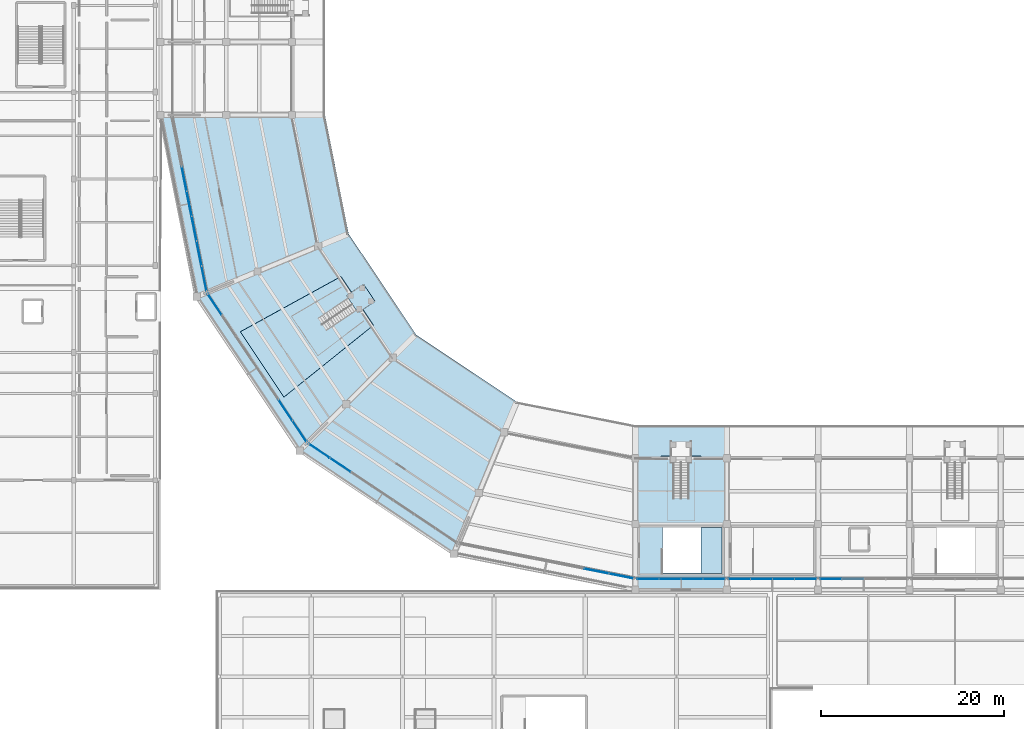
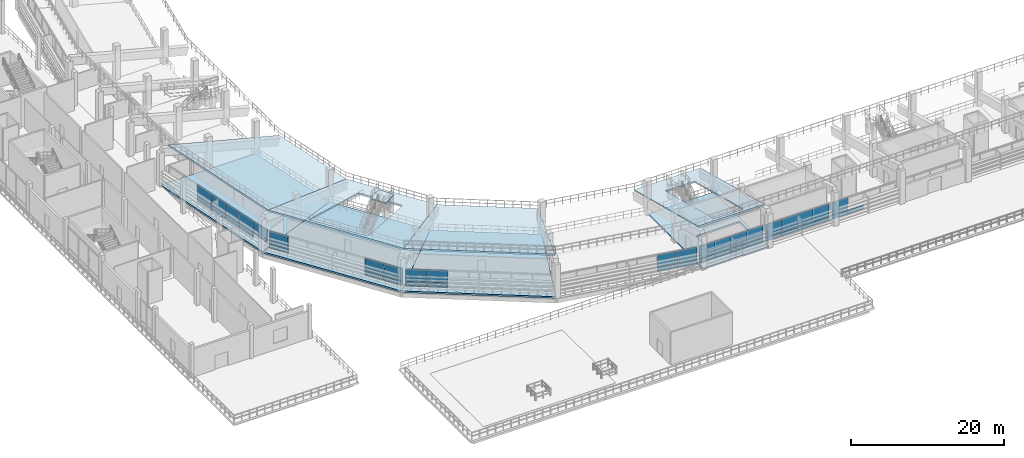
# One storey, part 49 of 96: 42 plates, 9 slabs, 8 elements without a shape of their own.
"""IFC4 building model written with IfcOpenShell, lengths in metres."""

import ifcopenshell
import ifcopenshell.guid

model = None  # the IFC model being written
_history = None  # IfcOwnerHistory: only IFC2X3 demands one
_inside = {}  # id of a spatial element -> (the spatial element, [elements in it])
_under = {}  # id of a project, library or spatial element -> (it, [spatial elements below it])
_declared = {}  # id of a project -> (the project, [libraries it declares])
_typed = {}  # id of a type object -> (the type object, [elements of that type])
_made_of = {}  # id of a material, layer set ... -> (it, [elements and type objects made of it])


def new_model(schema):
    """Start an empty IFC model of exactly this schema.

    Asked for "IFC4X3", IfcOpenShell would pick the latest addendum, in which some entities
    have other attributes; the version numbers below select the first issue.
    IFC2X3 requires an IfcOwnerHistory on every rooted entity: one is made here for all.
    """
    global model, _history
    if schema == "IFC4X3":
        model = ifcopenshell.file(schema_version=(4, 3, 0, 0))
    else:
        model = ifcopenshell.file(schema=schema)
    _inside.clear()
    _under.clear()
    _declared.clear()
    _typed.clear()
    _made_of.clear()
    _history = None
    if model.schema == "IFC2X3":
        org = make("IfcOrganization", Name="unknown")
        user = make(
            "IfcPersonAndOrganization",
            ThePerson=make("IfcPerson", FamilyName="unknown"),
            TheOrganization=org,
        )
        app = make(
            "IfcApplication",
            ApplicationDeveloper=org,
            Version="unknown",
            ApplicationFullName="unknown",
            ApplicationIdentifier="unknown",
        )
        _history = make(
            "IfcOwnerHistory",
            OwningUser=user,
            OwningApplication=app,
            ChangeAction="ADDED",
            CreationDate=0,
        )
    return model


def make(cls, **values):
    """One entity of the class cls with the attributes given. An attribute that is None is left unset."""
    return model.create_entity(
        cls, **{name: value for name, value in values.items() if value is not None}
    )


def rooted(cls, **values):
    """An entity with a GlobalId (a new one), such as an element, a storey or a relation."""
    return make(cls, GlobalId=ifcopenshell.guid.new(), OwnerHistory=_history, **values)


def si_unit(unit_type, name, prefix=None):
    """IfcSIUnit, for example si_unit("LENGTHUNIT", "METRE", prefix="MILLI")."""
    return make("IfcSIUnit", UnitType=unit_type, Prefix=prefix, Name=name)


def assignment(units):
    """IfcUnitAssignment: the units of a project."""
    return None if units is None else make("IfcUnitAssignment", Units=units)


def point(xyz):
    """IfcCartesianPoint."""
    return None if xyz is None else make("IfcCartesianPoint", Coordinates=xyz)


def direction(xyz):
    """IfcDirection."""
    return None if xyz is None else make("IfcDirection", DirectionRatios=xyz)


def frame(location, z_axis=None, x_axis=None):
    """IfcAxis2Placement3D, a coordinate frame: its origin and axes. An axis left out is left unset."""
    return make(
        "IfcAxis2Placement3D",
        Location=point(location),
        Axis=direction(z_axis),
        RefDirection=direction(x_axis),
    )


def frame_2d(location, x_axis=None):
    """IfcAxis2Placement2D, a coordinate frame in the plane: its origin and x axis."""
    return make(
        "IfcAxis2Placement2D", Location=point(location), RefDirection=direction(x_axis)
    )


def origin():
    """The frame at (0, 0, 0) with its axes left unset."""
    return frame((0.0, 0.0, 0.0))


def origin_2d():
    """The frame at (0, 0) in the plane with its x axis left unset."""
    return frame_2d((0.0, 0.0))


def place(relative_to, where):
    """IfcLocalPlacement: puts the frame where relative to a parent placement (None: the world)."""
    return make(
        "IfcLocalPlacement", PlacementRelTo=relative_to, RelativePlacement=where
    )


def context(
    kind, dimensions, precision=None, world=None, true_north=None, identifier=None
):
    """IfcGeometricRepresentationContext, for example the 3D "Model" context."""
    return make(
        "IfcGeometricRepresentationContext",
        ContextIdentifier=identifier,
        ContextType=kind,
        CoordinateSpaceDimension=dimensions,
        Precision=precision,
        WorldCoordinateSystem=world,
        TrueNorth=true_north,
    )


def subcontext(parent, identifier, kind, view, scale=None):
    """IfcGeometricRepresentationSubContext, for example "Body" below "Model"."""
    return make(
        "IfcGeometricRepresentationSubContext",
        ContextIdentifier=identifier,
        ContextType=kind,
        ParentContext=parent,
        TargetScale=scale,
        TargetView=view,
    )


def project(units=None, contexts=None):
    """IfcProject with its units and contexts."""
    return rooted(
        "IfcProject",
        Name="project",
        RepresentationContexts=contexts,
        UnitsInContext=assignment(units),
    )


def spatial(cls, under=None, at=None, **own):
    """A site, building, storey or space (cls), placed at a placement, below another one or the project."""
    s = rooted(cls, ObjectPlacement=at, **own)
    if under is not None:
        _under.setdefault(under.id(), (under, []))[1].append(s)
    return s


def polyline(points):
    """IfcPolyline through the points."""
    return make("IfcPolyline", Points=[point(p) for p in points])


def profile(cls, at=None, kind="AREA", **sizes):
    """A parametric profile (cls). Its sizes go by their IFC names, for example OverallWidth=200.0."""
    return make(cls, ProfileType=kind, Position=at, **sizes)


def rectangle(**sizes):
    """IfcRectangleProfileDef."""
    return profile("IfcRectangleProfileDef", **sizes)


def outline(outer, holes=None, kind="AREA"):
    """IfcArbitraryClosedProfileDef: a profile drawn as a closed curve; with holes, ...WithVoids."""
    if holes is None:
        return make("IfcArbitraryClosedProfileDef", ProfileType=kind, OuterCurve=outer)
    return make(
        "IfcArbitraryProfileDefWithVoids",
        ProfileType=kind,
        OuterCurve=outer,
        InnerCurves=holes,
    )


def extrude(swept, where, along, depth):
    """IfcExtrudedAreaSolid: the profile swept, set in the frame where, extruded along a direction by depth."""
    return make(
        "IfcExtrudedAreaSolid",
        SweptArea=swept,
        Position=where,
        ExtrudedDirection=direction(along),
        Depth=depth,
    )


def shape(context_of_items, identifier, shape_type, items):
    """IfcShapeRepresentation: the items that make up one representation, for example the "Body"."""
    return make(
        "IfcShapeRepresentation",
        ContextOfItems=context_of_items,
        RepresentationIdentifier=identifier,
        RepresentationType=shape_type,
        Items=items,
    )


def material(Name=None, Category=None):
    """IfcMaterial."""
    return make("IfcMaterial", Name=Name, Category=Category)


def layer(
    of_material, thickness, ventilated=None, Name=None, Category=None, Priority=None
):
    """IfcMaterialLayer: one layer of a wall or slab, of a material (None: an air gap)."""
    return make(
        "IfcMaterialLayer",
        Material=of_material,
        LayerThickness=thickness,
        IsVentilated=ventilated,
        Name=Name,
        Category=Category,
        Priority=Priority,
    )


def layer_set(layers, Name=None):
    """IfcMaterialLayerSet."""
    return make("IfcMaterialLayerSet", MaterialLayers=layers, LayerSetName=Name)


def made_of(thing, what):
    """Note that an element or type object is made of a material, layer set ...; save() writes the relation."""
    if what is not None:
        _made_of.setdefault(what.id(), (what, []))[1].append(thing)
    return thing


def type_object(cls, material=None, **own):
    """A type object (cls), such as IfcWallType, which elements share."""
    return made_of(rooted(cls, **own), material)


def element(
    cls,
    number,
    at=None,
    inside=None,
    cuts=None,
    type_object=None,
    material=None,
    context=None,
    identifier="Body",
    shape_type=None,
    held_by="IfcProductDefinitionShape",
    body=None,
    shapes=None,
    **own,
):
    """One element of the class cls, such as IfcWall. Its Tag is "e" and its number.

    at: its placement. inside: the storey or other place that contains it. cuts: it is an
    opening in that element (IfcRelVoidsElement). A single representation is given by context,
    identifier, shape_type and body (its items); several are given by shapes. held_by: the class
    of the entity that holds the representations. save() writes the other relations.
    """
    e = rooted(cls, Tag="e%d" % number, ObjectPlacement=at, **own)
    if body is not None:
        shapes = [shape(context, identifier, shape_type, body)]
    if shapes is not None:
        e.Representation = make(held_by, Representations=shapes)
    if inside is not None:
        _inside.setdefault(inside.id(), (inside, []))[1].append(e)
    if cuts is not None:
        rooted(
            "IfcRelVoidsElement", RelatingBuildingElement=cuts, RelatedOpeningElement=e
        )
    if type_object is not None:
        _typed.setdefault(type_object.id(), (type_object, []))[1].append(e)
    return made_of(e, material)


def aggregate(whole, parts):
    """IfcRelAggregates: a whole, such as a stair, and the parts it consists of."""
    return rooted("IfcRelAggregates", RelatingObject=whole, RelatedObjects=parts)


def save(model, path):
    """Write the relations noted so far, then the file.

    IfcRelAggregates (storeys below a building ...), IfcRelContainedInSpatialStructure (elements
    in a storey), IfcRelDefinesByType, IfcRelAssociatesMaterial and IfcRelDeclares: one each for
    every whole, place, type object, material and project.
    """
    for whole, parts in _under.values():
        aggregate(whole, parts)
    for where, things in _inside.values():
        rooted(
            "IfcRelContainedInSpatialStructure",
            RelatedElements=things,
            RelatingStructure=where,
        )
    for kind, things in _typed.values():
        rooted("IfcRelDefinesByType", RelatedObjects=things, RelatingType=kind)
    for what, things in _made_of.values():
        rooted("IfcRelAssociatesMaterial", RelatedObjects=things, RelatingMaterial=what)
    for by, libraries in _declared.values():
        rooted("IfcRelDeclares", RelatingContext=by, RelatedDefinitions=libraries)
    model.write(path)


model = new_model("IFC4")

# Units and contexts
model_context = context("Model", 3, precision=1e-05, world=origin(), true_north=direction((0.0, 1.0)))
body_context = subcontext(model_context, "Body", "Model", "MODEL_VIEW")
ifc_project = project(units=[si_unit("LENGTHUNIT", "METRE"), si_unit("AREAUNIT", "SQUARE_METRE"), si_unit("VOLUMEUNIT", "CUBIC_METRE"), si_unit("PLANEANGLEUNIT", "RADIAN"), si_unit("MASSUNIT", "GRAM", prefix="KILO")], contexts=[model_context])

# Site, building, storey
site_placement = place(None, origin())
site = spatial("IfcSite", under=ifc_project, at=site_placement, CompositionType="ELEMENT")
building_placement = place(site_placement, origin())
building = spatial("IfcBuilding", under=site, at=building_placement, Name="Candeia Ridge Stadium", CompositionType="ELEMENT")
storey_placement = place(building_placement, frame((0.0, 0.0, 21.60009765625)))
storey = spatial("IfcBuildingStorey", under=building, at=storey_placement, Name="L04", CompositionType="ELEMENT", Elevation=21.60009765625)

# Slabs
ifc_material_1 = material(Name="Concrete C40/50", Category="concrete")
ifc_layer_1 = layer(ifc_material_1, 0.260009765625, Name="Concrete C40/50", Category="concrete")
ifc_layer_set_1 = layer_set([ifc_layer_1], Name="Concrete C40/50")
slab_type_1 = type_object("IfcSlabType", Name="Concourse Structural Slab 260", PredefinedType="FLOOR", material=ifc_layer_set_1)
slab_1_placement = place(storey_placement, frame((0.0, 0.0, -0.260009765625)))
element("IfcSlab", 1, at=slab_1_placement, inside=storey, type_object=slab_type_1, Name="Bowl concourse sector slab L04 bay 15 SLB-L04-0159", PredefinedType="FLOOR", context=body_context, shape_type="SweptSolid", body=[
    extrude(outline(polyline([(36.26220703125, 56.611083984375), (22.958251953125, 51.1005859375), (19.0, 71.0), (33.39990234375, 71.0), (36.26220703125, 56.611083984375)])), origin(), (0.0, 0.0, 1.0), 0.260009765625),
])
slab_2_placement = place(storey_placement, frame((0.0, 0.0, -0.260009765625)))
element("IfcSlab", 2, at=slab_2_placement, inside=storey, type_object=slab_type_1, Name="Bowl concourse sector slab L04 bay 16 SLB-L04-0160", PredefinedType="FLOOR", context=body_context, shape_type="SweptSolid", body=[
    extrude(outline(polyline([(44.412841796875, 44.412841796875), (34.23046875, 34.23046875), (22.958251953125, 51.1005859375), (36.26220703125, 56.611083984375), (44.412841796875, 44.412841796875)])), origin(), (0.0, 0.0, 1.0), 0.260009765625),
])
slab_3_placement = place(storey_placement, frame((0.0, 0.0, -0.260009765625)))
element("IfcSlab", 3, at=slab_3_placement, inside=storey, type_object=slab_type_1, Name="Bowl concourse sector slab L04 bay 17 SLB-L04-0161", PredefinedType="FLOOR", context=body_context, shape_type="SweptSolid", body=[
    extrude(outline(polyline([(56.611083984375, 36.26220703125), (51.1005859375, 22.958251953125), (34.23046875, 34.23046875), (44.412841796875, 44.412841796875), (56.611083984375, 36.26220703125)])), origin(), (0.0, 0.0, 1.0), 0.260009765625),
])
slab_4_placement = place(storey_placement, frame((0.0, 0.0, -0.260009765625)))
element("IfcSlab", 4, at=slab_4_placement, inside=storey, type_object=slab_type_1, Name="Bowl concourse sector slab L04 bay 19 SLB-L04-0163", PredefinedType="FLOOR", context=body_context, shape_type="SweptSolid", body=[
    extrude(outline(polyline([(81.0, 33.39990234375), (81.0, 19.0), (71.0400390625, 19.0), (71.0400390625, 33.39990234375), (81.0, 33.39990234375)]), holes=[polyline([(73.95068359375, 20.800048828125), (80.5, 20.800048828125), (80.5, 25.85009765625), (73.95068359375, 25.85009765625), (73.95068359375, 20.800048828125)])]), origin(), (0.0, 0.0, 1.0), 0.260009765625),
])

# Stair, slab
ifc_material_2 = material(Name="Precast concrete C45/55", Category="concrete")
stair_type = type_object("IfcStairType", Name="Spectator Vomitory Straight Stair 2200", PredefinedType="STRAIGHT_RUN_STAIR", material=ifc_material_2)
stair_placement = place(storey_placement, origin())
stair = element("IfcStair", 5, at=stair_placement, inside=storey, type_object=stair_type, Name="Vomitory stair VS30", PredefinedType="STRAIGHT_RUN_STAIR")
ifc_layer_2 = layer(ifc_material_1, 0.199951171875, Name="Concrete C40/50", Category="concrete")
ifc_layer_set_2 = layer_set([ifc_layer_2], Name="Concrete C40/50")
slab_type_2 = type_object("IfcSlabType", Name="Core Stair Landing Slab 200", PredefinedType="LANDING", material=ifc_layer_set_2)
slab_5_placement = place(storey_placement, frame((0.0, 0.0, 2.493896484375)))
slab_5 = element("IfcSlab", 6, at=slab_5_placement, type_object=slab_type_2, Name="VS30 landing 1", PredefinedType="LANDING", context=body_context, shape_type="SweptSolid", body=[
    extrude(outline(polyline([(39.362548828125, 51.20751953125), (41.233642578125, 52.457763671875), (42.478271484375, 50.595458984375), (40.60693359375, 49.344970703125), (39.362548828125, 51.20751953125)])), origin(), (0.0, 0.0, 1.0), 0.199951171875),
])
aggregate(stair, [slab_5])

# Curtain wall, plates
ifc_material_3 = material(Name="Aluminium Anodized Warm Bronze", Category="aluminium")
curtain_wall_type = type_object("IfcCurtainWallType", Name="Concourse Recessed Unitised Curtain Wall", PredefinedType="NOTDEFINED", material=ifc_material_3)
curtain_wall_1_placement = place(storey_placement, origin())
curtain_wall_1 = element("IfcCurtainWall", 7, at=curtain_wall_1_placement, inside=storey, type_object=curtain_wall_type, Name="Unitised curtain wall CW-BWL-L04-16", PredefinedType="NOTDEFINED")
ifc_material_4 = material(Name="Aluminium Insulated Spandrel", Category="aluminium")
ifc_layer_3 = layer(ifc_material_4, 0.06494140625, Name="Aluminium Insulated Spandrel", Category="aluminium")
ifc_layer_set_3 = layer_set([ifc_layer_3], Name="Aluminium Insulated Spandrel")
plate_type_1 = type_object("IfcPlateType", Name="Insulated Bronze Spandrel Panel SP1", PredefinedType="CURTAIN_PANEL", material=ifc_layer_set_3)
plate_1_placement = place(storey_placement, frame((36.384521484375, 34.206787109375, 0.0400390625), z_axis=(0.0, 0.0, 1.0), x_axis=(0.831468800789, -0.555571447533, 0.0)))
plate_1 = element("IfcPlate", 8, at=plate_1_placement, type_object=plate_type_1, Name="Curtain wall spandrel panel CW-BWL-L04-16-SP0", PredefinedType="CURTAIN_PANEL", context=body_context, shape_type="SweptSolid", body=[
    extrude(rectangle(XDim=2.710205078125, YDim=0.06494140625, at=origin_2d()), origin(), (0.0, 0.0, 1.0), 0.613037109375),
])
plate_2_placement = place(storey_placement, frame((38.696044921875, 32.662109375, 0.0400390625), z_axis=(0.0, 0.0, 1.0), x_axis=(0.831468800789, -0.555571447533, 0.0)))
plate_2 = element("IfcPlate", 9, at=plate_2_placement, type_object=plate_type_1, Name="Curtain wall spandrel panel CW-BWL-L04-16-SP1", PredefinedType="CURTAIN_PANEL", context=body_context, shape_type="SweptSolid", body=[
    extrude(rectangle(XDim=2.710205078125, YDim=0.06494140625, at=origin_2d()), origin(), (0.0, 0.0, 1.0), 0.613037109375),
])

curtain_wall_2_placement = place(storey_placement, origin())
curtain_wall_2 = element("IfcCurtainWall", 10, at=curtain_wall_2_placement, inside=storey, type_object=curtain_wall_type, Name="Unitised curtain wall CW-BWL-L04-20", PredefinedType="NOTDEFINED")
plate_3_placement = place(storey_placement, frame((92.385009765625, 20.199951171875, 0.0400390625), z_axis=(0.0, 0.0, 1.0), x_axis=(1.0, 0.0, 0.0)))
plate_3 = element("IfcPlate", 11, at=plate_3_placement, type_object=plate_type_1, Name="Curtain wall spandrel panel CW-BWL-L04-20-SP0", PredefinedType="CURTAIN_PANEL", context=body_context, shape_type="SweptSolid", body=[
    extrude(rectangle(XDim=2.340087890625, YDim=0.06494140625, at=origin_2d()), origin(), (0.0, 0.0, 1.0), 0.613037109375),
])
plate_4_placement = place(storey_placement, frame((94.794921875, 20.199951171875, 0.0400390625), z_axis=(0.0, 0.0, 1.0), x_axis=(1.0, 0.0, 0.0)))
plate_4 = element("IfcPlate", 12, at=plate_4_placement, type_object=plate_type_1, Name="Curtain wall spandrel panel CW-BWL-L04-20-SP1", PredefinedType="CURTAIN_PANEL", context=body_context, shape_type="SweptSolid", body=[
    extrude(rectangle(XDim=2.340087890625, YDim=0.06494140625, at=origin_2d()), origin(), (0.0, 0.0, 1.0), 0.613037109375),
])

curtain_wall_3_placement = place(storey_placement, origin())
curtain_wall_3 = element("IfcCurtainWall", 13, at=curtain_wall_3_placement, inside=storey, type_object=curtain_wall_type, Name="Unitised curtain wall CW-BWL-L04-17", PredefinedType="NOTDEFINED")
ifc_layer_4 = layer(ifc_material_4, 0.06494140625, Name="Aluminium Insulated Spandrel", Category="aluminium")
ifc_layer_set_4 = layer_set([ifc_layer_4], Name="Aluminium Insulated Spandrel")
plate_type_2 = type_object("IfcPlateType", Name="Insulated Bronze Spandrel Panel SP2", PredefinedType="CURTAIN_PANEL", material=ifc_layer_set_4)
plate_5_placement = place(storey_placement, frame((66.7333984375, 21.048583984375, 0.0400390625), z_axis=(0.0, 0.0, 1.0), x_axis=(0.980785280696, -0.195090320544, 0.0)))
plate_5 = element("IfcPlate", 14, at=plate_5_placement, type_object=plate_type_2, Name="Curtain wall spandrel panel CW-BWL-L04-17-SP5", PredefinedType="CURTAIN_PANEL", context=body_context, shape_type="SweptSolid", body=[
    extrude(rectangle(XDim=2.710205078125, YDim=0.06494140625, at=origin_2d()), origin(), (0.0, 0.0, 1.0), 0.613037109375),
])
plate_6_placement = place(storey_placement, frame((69.460205078125, 20.50634765625, 0.0400390625), z_axis=(0.0, 0.0, 1.0), x_axis=(0.980785280696, -0.195090320544, 0.0)))
plate_6 = element("IfcPlate", 15, at=plate_6_placement, type_object=plate_type_2, Name="Curtain wall spandrel panel CW-BWL-L04-17-SP6", PredefinedType="CURTAIN_PANEL", context=body_context, shape_type="SweptSolid", body=[
    extrude(rectangle(XDim=2.710205078125, YDim=0.06494140625, at=origin_2d()), origin(), (0.0, 0.0, 1.0), 0.613037109375),
])

curtain_wall_4_placement = place(storey_placement, origin())
curtain_wall_4 = element("IfcCurtainWall", 16, at=curtain_wall_4_placement, inside=storey, type_object=curtain_wall_type, Name="Unitised curtain wall CW-BWL-L04-14", PredefinedType="NOTDEFINED")
ifc_layer_5 = layer(ifc_material_4, 0.06494140625, Name="Aluminium Insulated Spandrel", Category="aluminium")
ifc_layer_set_5 = layer_set([ifc_layer_5], Name="Aluminium Insulated Spandrel")
plate_type_3 = type_object("IfcPlateType", Name="Insulated Bronze Spandrel Panel SP4", PredefinedType="CURTAIN_PANEL", material=ifc_layer_set_5)
plate_7_placement = place(storey_placement, frame((21.591064453125, 64.006591796875, 0.0400390625), z_axis=(0.0, 0.0, 1.0), x_axis=(0.195090320544, -0.980785280696, 0.0)))
plate_7 = element("IfcPlate", 17, at=plate_7_placement, type_object=plate_type_3, Name="Curtain wall spandrel panel CW-BWL-L04-14-SP2", PredefinedType="CURTAIN_PANEL", context=body_context, shape_type="SweptSolid", body=[
    extrude(rectangle(XDim=2.710205078125, YDim=0.06494140625, at=origin_2d()), origin(), (0.0, 0.0, 1.0), 0.613037109375),
])
plate_8_placement = place(storey_placement, frame((22.13330078125, 61.27978515625, 0.0400390625), z_axis=(0.0, 0.0, 1.0), x_axis=(0.195090320544, -0.980785280696, 0.0)))
plate_8 = element("IfcPlate", 18, at=plate_8_placement, type_object=plate_type_3, Name="Curtain wall spandrel panel CW-BWL-L04-14-SP3", PredefinedType="CURTAIN_PANEL", context=body_context, shape_type="SweptSolid", body=[
    extrude(rectangle(XDim=2.710205078125, YDim=0.06494140625, at=origin_2d()), origin(), (0.0, 0.0, 1.0), 0.613037109375),
])
plate_9_placement = place(storey_placement, frame((22.67578125, 58.552978515625, 0.0400390625), z_axis=(0.0, 0.0, 1.0), x_axis=(0.195090320544, -0.980785280696, 0.0)))
plate_9 = element("IfcPlate", 19, at=plate_9_placement, type_object=plate_type_3, Name="Curtain wall spandrel panel CW-BWL-L04-14-SP4", PredefinedType="CURTAIN_PANEL", context=body_context, shape_type="SweptSolid", body=[
    extrude(rectangle(XDim=2.710205078125, YDim=0.06494140625, at=origin_2d()), origin(), (0.0, 0.0, 1.0), 0.613037109375),
])
plate_10_placement = place(storey_placement, frame((23.21826171875, 55.826416015625, 0.0400390625), z_axis=(0.0, 0.0, 1.0), x_axis=(0.195090320544, -0.980785280696, 0.0)))
plate_10 = element("IfcPlate", 20, at=plate_10_placement, type_object=plate_type_3, Name="Curtain wall spandrel panel CW-BWL-L04-14-SP5", PredefinedType="CURTAIN_PANEL", context=body_context, shape_type="SweptSolid", body=[
    extrude(rectangle(XDim=2.710205078125, YDim=0.06494140625, at=origin_2d()), origin(), (0.0, 0.0, 1.0), 0.613037109375),
])

curtain_wall_5_placement = place(storey_placement, origin())
curtain_wall_5 = element("IfcCurtainWall", 21, at=curtain_wall_5_placement, inside=storey, type_object=curtain_wall_type, Name="Unitised curtain wall CW-BWL-L04-18", PredefinedType="NOTDEFINED")
plate_11_placement = place(storey_placement, frame((72.385009765625, 20.199951171875, 0.0400390625), z_axis=(0.0, 0.0, 1.0), x_axis=(1.0, 0.0, 0.0)))
plate_11 = element("IfcPlate", 22, at=plate_11_placement, type_object=plate_type_3, Name="Curtain wall spandrel panel CW-BWL-L04-18-SP0", PredefinedType="CURTAIN_PANEL", context=body_context, shape_type="SweptSolid", body=[
    extrude(rectangle(XDim=2.340087890625, YDim=0.06494140625, at=origin_2d()), origin(), (0.0, 0.0, 1.0), 0.613037109375),
])
plate_12_placement = place(storey_placement, frame((74.794921875, 20.199951171875, 0.0400390625), z_axis=(0.0, 0.0, 1.0), x_axis=(1.0, 0.0, 0.0)))
plate_12 = element("IfcPlate", 23, at=plate_12_placement, type_object=plate_type_3, Name="Curtain wall spandrel panel CW-BWL-L04-18-SP1", PredefinedType="CURTAIN_PANEL", context=body_context, shape_type="SweptSolid", body=[
    extrude(rectangle(XDim=2.340087890625, YDim=0.06494140625, at=origin_2d()), origin(), (0.0, 0.0, 1.0), 0.613037109375),
])
plate_13_placement = place(storey_placement, frame((77.205078125, 20.199951171875, 0.0400390625), z_axis=(0.0, 0.0, 1.0), x_axis=(1.0, 0.0, 0.0)))
plate_13 = element("IfcPlate", 24, at=plate_13_placement, type_object=plate_type_3, Name="Curtain wall spandrel panel CW-BWL-L04-18-SP2", PredefinedType="CURTAIN_PANEL", context=body_context, shape_type="SweptSolid", body=[
    extrude(rectangle(XDim=2.340087890625, YDim=0.06494140625, at=origin_2d()), origin(), (0.0, 0.0, 1.0), 0.613037109375),
])
plate_14_placement = place(storey_placement, frame((79.614990234375, 20.199951171875, 0.0400390625), z_axis=(0.0, 0.0, 1.0), x_axis=(1.0, 0.0, 0.0)))
plate_14 = element("IfcPlate", 25, at=plate_14_placement, type_object=plate_type_3, Name="Curtain wall spandrel panel CW-BWL-L04-18-SP3", PredefinedType="CURTAIN_PANEL", context=body_context, shape_type="SweptSolid", body=[
    extrude(rectangle(XDim=2.340087890625, YDim=0.06494140625, at=origin_2d()), origin(), (0.0, 0.0, 1.0), 0.613037109375),
])

curtain_wall_6_placement = place(storey_placement, origin())
curtain_wall_6 = element("IfcCurtainWall", 26, at=curtain_wall_6_placement, inside=storey, type_object=curtain_wall_type, Name="Unitised curtain wall CW-BWL-L04-15", PredefinedType="NOTDEFINED")
ifc_layer_6 = layer(ifc_material_4, 0.06494140625, Name="Aluminium Insulated Spandrel", Category="aluminium")
ifc_layer_set_6 = layer_set([ifc_layer_6], Name="Aluminium Insulated Spandrel")
plate_type_4 = type_object("IfcPlateType", Name="Insulated Bronze Spandrel Panel SP5", PredefinedType="CURTAIN_PANEL", material=ifc_layer_set_6)
plate_15_placement = place(storey_placement, frame((24.939208984375, 50.254150390625, 0.0400390625), z_axis=(0.0, 0.0, 1.0), x_axis=(0.555571447533, -0.831468800789, 0.0)))
plate_15 = element("IfcPlate", 27, at=plate_15_placement, type_object=plate_type_4, Name="Curtain wall spandrel panel CW-BWL-L04-15-SP0", PredefinedType="CURTAIN_PANEL", context=body_context, shape_type="SweptSolid", body=[
    extrude(rectangle(XDim=2.710205078125, YDim=0.06494140625, at=origin_2d()), origin(), (0.0, 0.0, 1.0), 0.613037109375),
])
plate_16_placement = place(storey_placement, frame((32.662109375, 38.696044921875, 0.0400390625), z_axis=(0.0, 0.0, 1.0), x_axis=(0.555571447533, -0.831468800789, 0.0)))
plate_16 = element("IfcPlate", 28, at=plate_16_placement, type_object=plate_type_4, Name="Curtain wall spandrel panel CW-BWL-L04-15-SP5", PredefinedType="CURTAIN_PANEL", context=body_context, shape_type="SweptSolid", body=[
    extrude(rectangle(XDim=2.710205078125, YDim=0.06494140625, at=origin_2d()), origin(), (0.0, 0.0, 1.0), 0.613037109375),
])
plate_17_placement = place(storey_placement, frame((34.206787109375, 36.384521484375, 0.0400390625), z_axis=(0.0, 0.0, 1.0), x_axis=(0.555571447533, -0.831468800789, 0.0)))
plate_17 = element("IfcPlate", 29, at=plate_17_placement, type_object=plate_type_4, Name="Curtain wall spandrel panel CW-BWL-L04-15-SP6", PredefinedType="CURTAIN_PANEL", context=body_context, shape_type="SweptSolid", body=[
    extrude(rectangle(XDim=2.710205078125, YDim=0.06494140625, at=origin_2d()), origin(), (0.0, 0.0, 1.0), 0.613037109375),
])

curtain_wall_7_placement = place(storey_placement, origin())
curtain_wall_7 = element("IfcCurtainWall", 30, at=curtain_wall_7_placement, inside=storey, type_object=curtain_wall_type, Name="Unitised curtain wall CW-BWL-L04-19", PredefinedType="NOTDEFINED")
plate_18_placement = place(storey_placement, frame((82.385009765625, 20.199951171875, 0.0400390625), z_axis=(0.0, 0.0, 1.0), x_axis=(1.0, 0.0, 0.0)))
plate_18 = element("IfcPlate", 31, at=plate_18_placement, type_object=plate_type_4, Name="Curtain wall spandrel panel CW-BWL-L04-19-SP0", PredefinedType="CURTAIN_PANEL", context=body_context, shape_type="SweptSolid", body=[
    extrude(rectangle(XDim=2.340087890625, YDim=0.06494140625, at=origin_2d()), origin(), (0.0, 0.0, 1.0), 0.613037109375),
])
plate_19_placement = place(storey_placement, frame((84.794921875, 20.199951171875, 0.0400390625), z_axis=(0.0, 0.0, 1.0), x_axis=(1.0, 0.0, 0.0)))
plate_19 = element("IfcPlate", 32, at=plate_19_placement, type_object=plate_type_4, Name="Curtain wall spandrel panel CW-BWL-L04-19-SP1", PredefinedType="CURTAIN_PANEL", context=body_context, shape_type="SweptSolid", body=[
    extrude(rectangle(XDim=2.340087890625, YDim=0.06494140625, at=origin_2d()), origin(), (0.0, 0.0, 1.0), 0.613037109375),
])
plate_20_placement = place(storey_placement, frame((87.205078125, 20.199951171875, 0.0400390625), z_axis=(0.0, 0.0, 1.0), x_axis=(1.0, 0.0, 0.0)))
plate_20 = element("IfcPlate", 33, at=plate_20_placement, type_object=plate_type_4, Name="Curtain wall spandrel panel CW-BWL-L04-19-SP2", PredefinedType="CURTAIN_PANEL", context=body_context, shape_type="SweptSolid", body=[
    extrude(rectangle(XDim=2.340087890625, YDim=0.06494140625, at=origin_2d()), origin(), (0.0, 0.0, 1.0), 0.613037109375),
])
plate_21_placement = place(storey_placement, frame((89.614990234375, 20.199951171875, 0.0400390625), z_axis=(0.0, 0.0, 1.0), x_axis=(1.0, 0.0, 0.0)))
plate_21 = element("IfcPlate", 34, at=plate_21_placement, type_object=plate_type_4, Name="Curtain wall spandrel panel CW-BWL-L04-19-SP3", PredefinedType="CURTAIN_PANEL", context=body_context, shape_type="SweptSolid", body=[
    extrude(rectangle(XDim=2.340087890625, YDim=0.06494140625, at=origin_2d()), origin(), (0.0, 0.0, 1.0), 0.613037109375),
])

# Plate
ifc_material_5 = material(Name="Tempered Low-E Double Glazing", Category="glass")
ifc_layer_7 = layer(ifc_material_5, 0.035888671875, Name="Tempered Low-E Double Glazing", Category="glass")
ifc_layer_set_7 = layer_set([ifc_layer_7], Name="Tempered Low-E Double Glazing")
plate_type_5 = type_object("IfcPlateType", Name="Solar Control Vision Glass Panel GP1", PredefinedType="CURTAIN_PANEL", material=ifc_layer_set_7)
plate_22_placement = place(storey_placement, frame((21.591064453125, 64.006591796875, 0.733154296875), z_axis=(0.0, 0.0, 1.0), x_axis=(0.195090320544, -0.980785280696, 0.0)))
plate_22 = element("IfcPlate", 35, at=plate_22_placement, type_object=plate_type_5, Name="Curtain wall vision glass panel CW-BWL-L04-14-GP2", PredefinedType="CURTAIN_PANEL", context=body_context, shape_type="SweptSolid", body=[
    extrude(rectangle(XDim=2.710205078125, YDim=0.035888671875, at=origin_2d()), origin(), (0.0, 0.0, 1.0), 1.9990234375),
])

plate_23_placement = place(storey_placement, frame((22.13330078125, 61.27978515625, 0.733154296875), z_axis=(0.0, 0.0, 1.0), x_axis=(0.195090320544, -0.980785280696, 0.0)))
plate_23 = element("IfcPlate", 36, at=plate_23_placement, type_object=plate_type_5, Name="Curtain wall vision glass panel CW-BWL-L04-14-GP3", PredefinedType="CURTAIN_PANEL", context=body_context, shape_type="SweptSolid", body=[
    extrude(rectangle(XDim=2.710205078125, YDim=0.035888671875, at=origin_2d()), origin(), (0.0, 0.0, 1.0), 1.9990234375),
])

plate_24_placement = place(storey_placement, frame((22.67578125, 58.552978515625, 0.733154296875), z_axis=(0.0, 0.0, 1.0), x_axis=(0.195090320544, -0.980785280696, 0.0)))
plate_24 = element("IfcPlate", 37, at=plate_24_placement, type_object=plate_type_5, Name="Curtain wall vision glass panel CW-BWL-L04-14-GP4", PredefinedType="CURTAIN_PANEL", context=body_context, shape_type="SweptSolid", body=[
    extrude(rectangle(XDim=2.710205078125, YDim=0.035888671875, at=origin_2d()), origin(), (0.0, 0.0, 1.0), 1.9990234375),
])

plate_25_placement = place(storey_placement, frame((23.21826171875, 55.826416015625, 0.733154296875), z_axis=(0.0, 0.0, 1.0), x_axis=(0.195090320544, -0.980785280696, 0.0)))
plate_25 = element("IfcPlate", 38, at=plate_25_placement, type_object=plate_type_5, Name="Curtain wall vision glass panel CW-BWL-L04-14-GP5", PredefinedType="CURTAIN_PANEL", context=body_context, shape_type="SweptSolid", body=[
    extrude(rectangle(XDim=2.710205078125, YDim=0.035888671875, at=origin_2d()), origin(), (0.0, 0.0, 1.0), 1.9990234375),
])

plate_26_placement = place(storey_placement, frame((23.760498046875, 53.099609375, 0.733154296875), z_axis=(0.0, 0.0, 1.0), x_axis=(0.195090320544, -0.980785280696, 0.0)))
plate_26 = element("IfcPlate", 39, at=plate_26_placement, type_object=plate_type_5, Name="Curtain wall vision glass panel CW-BWL-L04-14-GP6", PredefinedType="CURTAIN_PANEL", context=body_context, shape_type="SweptSolid", body=[
    extrude(rectangle(XDim=2.710205078125, YDim=0.035888671875, at=origin_2d()), origin(), (0.0, 0.0, 1.0), 1.9990234375),
])

aggregate(curtain_wall_4, [plate_7, plate_22, plate_8, plate_23, plate_9, plate_24, plate_10, plate_25, plate_26])

plate_27_placement = place(storey_placement, frame((92.385009765625, 20.199951171875, 0.733154296875), z_axis=(0.0, 0.0, 1.0), x_axis=(1.0, 0.0, 0.0)))
plate_27 = element("IfcPlate", 40, at=plate_27_placement, type_object=plate_type_5, Name="Curtain wall vision glass panel CW-BWL-L04-20-GP0", PredefinedType="CURTAIN_PANEL", context=body_context, shape_type="SweptSolid", body=[
    extrude(rectangle(XDim=2.340087890625, YDim=0.035888671875, at=origin_2d()), origin(), (0.0, 0.0, 1.0), 1.9990234375),
])

aggregate(curtain_wall_2, [plate_3, plate_27, plate_4])

ifc_layer_8 = layer(ifc_material_5, 0.035888671875, Name="Tempered Low-E Double Glazing", Category="glass")
ifc_layer_set_8 = layer_set([ifc_layer_8], Name="Tempered Low-E Double Glazing")
plate_type_6 = type_object("IfcPlateType", Name="Solar Control Vision Glass Panel GP2", PredefinedType="CURTAIN_PANEL", material=ifc_layer_set_8)
plate_28_placement = place(storey_placement, frame((24.939208984375, 50.254150390625, 0.733154296875), z_axis=(0.0, 0.0, 1.0), x_axis=(0.555571447533, -0.831468800789, 0.0)))
plate_28 = element("IfcPlate", 41, at=plate_28_placement, type_object=plate_type_6, Name="Curtain wall vision glass panel CW-BWL-L04-15-GP0", PredefinedType="CURTAIN_PANEL", context=body_context, shape_type="SweptSolid", body=[
    extrude(rectangle(XDim=2.710205078125, YDim=0.035888671875, at=origin_2d()), origin(), (0.0, 0.0, 1.0), 1.9990234375),
])

plate_29_placement = place(storey_placement, frame((32.662109375, 38.696044921875, 0.733154296875), z_axis=(0.0, 0.0, 1.0), x_axis=(0.555571447533, -0.831468800789, 0.0)))
plate_29 = element("IfcPlate", 42, at=plate_29_placement, type_object=plate_type_6, Name="Curtain wall vision glass panel CW-BWL-L04-15-GP5", PredefinedType="CURTAIN_PANEL", context=body_context, shape_type="SweptSolid", body=[
    extrude(rectangle(XDim=2.710205078125, YDim=0.035888671875, at=origin_2d()), origin(), (0.0, 0.0, 1.0), 1.9990234375),
])

plate_30_placement = place(storey_placement, frame((34.206787109375, 36.384521484375, 0.733154296875), z_axis=(0.0, 0.0, 1.0), x_axis=(0.555571447533, -0.831468800789, 0.0)))
plate_30 = element("IfcPlate", 43, at=plate_30_placement, type_object=plate_type_6, Name="Curtain wall vision glass panel CW-BWL-L04-15-GP6", PredefinedType="CURTAIN_PANEL", context=body_context, shape_type="SweptSolid", body=[
    extrude(rectangle(XDim=2.710205078125, YDim=0.035888671875, at=origin_2d()), origin(), (0.0, 0.0, 1.0), 1.9990234375),
])

aggregate(curtain_wall_6, [plate_15, plate_28, plate_16, plate_29, plate_17, plate_30])

ifc_layer_9 = layer(ifc_material_5, 0.035888671875, Name="Tempered Low-E Double Glazing", Category="glass")
ifc_layer_set_9 = layer_set([ifc_layer_9], Name="Tempered Low-E Double Glazing")
plate_type_7 = type_object("IfcPlateType", Name="Solar Control Vision Glass Panel GP5", PredefinedType="CURTAIN_PANEL", material=ifc_layer_set_9)
plate_31_placement = place(storey_placement, frame((36.384521484375, 34.206787109375, 0.733154296875), z_axis=(0.0, 0.0, 1.0), x_axis=(0.831468800789, -0.555571447533, 0.0)))
plate_31 = element("IfcPlate", 44, at=plate_31_placement, type_object=plate_type_7, Name="Curtain wall vision glass panel CW-BWL-L04-16-GP0", PredefinedType="CURTAIN_PANEL", context=body_context, shape_type="SweptSolid", body=[
    extrude(rectangle(XDim=2.710205078125, YDim=0.035888671875, at=origin_2d()), origin(), (0.0, 0.0, 1.0), 1.9990234375),
])

plate_32_placement = place(storey_placement, frame((38.696044921875, 32.662109375, 0.733154296875), z_axis=(0.0, 0.0, 1.0), x_axis=(0.831468800789, -0.555571447533, 0.0)))
plate_32 = element("IfcPlate", 45, at=plate_32_placement, type_object=plate_type_7, Name="Curtain wall vision glass panel CW-BWL-L04-16-GP1", PredefinedType="CURTAIN_PANEL", context=body_context, shape_type="SweptSolid", body=[
    extrude(rectangle(XDim=2.710205078125, YDim=0.035888671875, at=origin_2d()), origin(), (0.0, 0.0, 1.0), 1.9990234375),
])

aggregate(curtain_wall_1, [plate_1, plate_31, plate_2, plate_32])

ifc_layer_10 = layer(ifc_material_5, 0.035888671875, Name="Tempered Low-E Double Glazing", Category="glass")
ifc_layer_set_10 = layer_set([ifc_layer_10], Name="Tempered Low-E Double Glazing")
plate_type_8 = type_object("IfcPlateType", Name="Solar Control Vision Glass Panel GP6", PredefinedType="CURTAIN_PANEL", material=ifc_layer_set_10)
plate_33_placement = place(storey_placement, frame((66.7333984375, 21.048583984375, 0.733154296875), z_axis=(0.0, 0.0, 1.0), x_axis=(0.980785280696, -0.195090320544, 0.0)))
plate_33 = element("IfcPlate", 46, at=plate_33_placement, type_object=plate_type_8, Name="Curtain wall vision glass panel CW-BWL-L04-17-GP5", PredefinedType="CURTAIN_PANEL", context=body_context, shape_type="SweptSolid", body=[
    extrude(rectangle(XDim=2.710205078125, YDim=0.035888671875, at=origin_2d()), origin(), (0.0, 0.0, 1.0), 1.9990234375),
])

plate_34_placement = place(storey_placement, frame((69.460205078125, 20.50634765625, 0.733154296875), z_axis=(0.0, 0.0, 1.0), x_axis=(0.980785280696, -0.195090320544, 0.0)))
plate_34 = element("IfcPlate", 47, at=plate_34_placement, type_object=plate_type_8, Name="Curtain wall vision glass panel CW-BWL-L04-17-GP6", PredefinedType="CURTAIN_PANEL", context=body_context, shape_type="SweptSolid", body=[
    extrude(rectangle(XDim=2.710205078125, YDim=0.035888671875, at=origin_2d()), origin(), (0.0, 0.0, 1.0), 1.9990234375),
])

aggregate(curtain_wall_3, [plate_5, plate_33, plate_6, plate_34])

ifc_layer_11 = layer(ifc_material_5, 0.035888671875, Name="Tempered Low-E Double Glazing", Category="glass")
ifc_layer_set_11 = layer_set([ifc_layer_11], Name="Tempered Low-E Double Glazing")
plate_type_9 = type_object("IfcPlateType", Name="Solar Control Vision Glass Panel GP7", PredefinedType="CURTAIN_PANEL", material=ifc_layer_set_11)
plate_35_placement = place(storey_placement, frame((72.385009765625, 20.199951171875, 0.733154296875), z_axis=(0.0, 0.0, 1.0), x_axis=(1.0, 0.0, 0.0)))
plate_35 = element("IfcPlate", 48, at=plate_35_placement, type_object=plate_type_9, Name="Curtain wall vision glass panel CW-BWL-L04-18-GP0", PredefinedType="CURTAIN_PANEL", context=body_context, shape_type="SweptSolid", body=[
    extrude(rectangle(XDim=2.340087890625, YDim=0.035888671875, at=origin_2d()), origin(), (0.0, 0.0, 1.0), 1.9990234375),
])

plate_36_placement = place(storey_placement, frame((74.794921875, 20.199951171875, 0.733154296875), z_axis=(0.0, 0.0, 1.0), x_axis=(1.0, 0.0, 0.0)))
plate_36 = element("IfcPlate", 49, at=plate_36_placement, type_object=plate_type_9, Name="Curtain wall vision glass panel CW-BWL-L04-18-GP1", PredefinedType="CURTAIN_PANEL", context=body_context, shape_type="SweptSolid", body=[
    extrude(rectangle(XDim=2.340087890625, YDim=0.035888671875, at=origin_2d()), origin(), (0.0, 0.0, 1.0), 1.9990234375),
])

plate_37_placement = place(storey_placement, frame((77.205078125, 20.199951171875, 0.733154296875), z_axis=(0.0, 0.0, 1.0), x_axis=(1.0, 0.0, 0.0)))
plate_37 = element("IfcPlate", 50, at=plate_37_placement, type_object=plate_type_9, Name="Curtain wall vision glass panel CW-BWL-L04-18-GP2", PredefinedType="CURTAIN_PANEL", context=body_context, shape_type="SweptSolid", body=[
    extrude(rectangle(XDim=2.340087890625, YDim=0.035888671875, at=origin_2d()), origin(), (0.0, 0.0, 1.0), 1.9990234375),
])

plate_38_placement = place(storey_placement, frame((79.614990234375, 20.199951171875, 0.733154296875), z_axis=(0.0, 0.0, 1.0), x_axis=(1.0, 0.0, 0.0)))
plate_38 = element("IfcPlate", 51, at=plate_38_placement, type_object=plate_type_9, Name="Curtain wall vision glass panel CW-BWL-L04-18-GP3", PredefinedType="CURTAIN_PANEL", context=body_context, shape_type="SweptSolid", body=[
    extrude(rectangle(XDim=2.340087890625, YDim=0.035888671875, at=origin_2d()), origin(), (0.0, 0.0, 1.0), 1.9990234375),
])

aggregate(curtain_wall_5, [plate_11, plate_35, plate_12, plate_36, plate_13, plate_37, plate_14, plate_38])

ifc_layer_12 = layer(ifc_material_5, 0.035888671875, Name="Tempered Low-E Double Glazing", Category="glass")
ifc_layer_set_12 = layer_set([ifc_layer_12], Name="Tempered Low-E Double Glazing")
plate_type_10 = type_object("IfcPlateType", Name="Solar Control Vision Glass Panel GP8", PredefinedType="CURTAIN_PANEL", material=ifc_layer_set_12)
plate_39_placement = place(storey_placement, frame((82.385009765625, 20.199951171875, 0.733154296875), z_axis=(0.0, 0.0, 1.0), x_axis=(1.0, 0.0, 0.0)))
plate_39 = element("IfcPlate", 52, at=plate_39_placement, type_object=plate_type_10, Name="Curtain wall vision glass panel CW-BWL-L04-19-GP0", PredefinedType="CURTAIN_PANEL", context=body_context, shape_type="SweptSolid", body=[
    extrude(rectangle(XDim=2.340087890625, YDim=0.035888671875, at=origin_2d()), origin(), (0.0, 0.0, 1.0), 1.9990234375),
])

plate_40_placement = place(storey_placement, frame((84.794921875, 20.199951171875, 0.733154296875), z_axis=(0.0, 0.0, 1.0), x_axis=(1.0, 0.0, 0.0)))
plate_40 = element("IfcPlate", 53, at=plate_40_placement, type_object=plate_type_10, Name="Curtain wall vision glass panel CW-BWL-L04-19-GP1", PredefinedType="CURTAIN_PANEL", context=body_context, shape_type="SweptSolid", body=[
    extrude(rectangle(XDim=2.340087890625, YDim=0.035888671875, at=origin_2d()), origin(), (0.0, 0.0, 1.0), 1.9990234375),
])

plate_41_placement = place(storey_placement, frame((87.205078125, 20.199951171875, 0.733154296875), z_axis=(0.0, 0.0, 1.0), x_axis=(1.0, 0.0, 0.0)))
plate_41 = element("IfcPlate", 54, at=plate_41_placement, type_object=plate_type_10, Name="Curtain wall vision glass panel CW-BWL-L04-19-GP2", PredefinedType="CURTAIN_PANEL", context=body_context, shape_type="SweptSolid", body=[
    extrude(rectangle(XDim=2.340087890625, YDim=0.035888671875, at=origin_2d()), origin(), (0.0, 0.0, 1.0), 1.9990234375),
])

plate_42_placement = place(storey_placement, frame((89.614990234375, 20.199951171875, 0.733154296875), z_axis=(0.0, 0.0, 1.0), x_axis=(1.0, 0.0, 0.0)))
plate_42 = element("IfcPlate", 55, at=plate_42_placement, type_object=plate_type_10, Name="Curtain wall vision glass panel CW-BWL-L04-19-GP3", PredefinedType="CURTAIN_PANEL", context=body_context, shape_type="SweptSolid", body=[
    extrude(rectangle(XDim=2.340087890625, YDim=0.035888671875, at=origin_2d()), origin(), (0.0, 0.0, 1.0), 1.9990234375),
])

aggregate(curtain_wall_7, [plate_18, plate_39, plate_19, plate_40, plate_20, plate_41, plate_21, plate_42])

# Slabs
ifc_layer_13 = layer(ifc_material_2, 0.239990234375, Name="Precast concrete C45/55", Category="concrete")
ifc_layer_set_13 = layer_set([ifc_layer_13], Name="Precast concrete C45/55")
slab_type_3 = type_object("IfcSlabType", Name="Upper Cantilever Tier Precast 240", PredefinedType="USERDEFINED", material=ifc_layer_set_13)
slab_6_placement = place(storey_placement, frame((37.0, 71.0, 1.64990234375), z_axis=(0.2503576128, 0.049798786666, 0.966871835643), x_axis=(0.195079675491, -0.980787398066, 2.420734e-06)))
element("IfcSlab", 56, at=slab_6_placement, inside=storey, type_object=slab_type_3, Name="Stand Upper Tier Stands Bay 15", ObjectType="SEATING TIER", PredefinedType="USERDEFINED", context=body_context, shape_type="SweptSolid", body=[
    extrude(outline(polyline([(0.0, 0.0), (13.265856290361187, -4.440892098500626e-16), (16.54347406288541, -17.04151855011149), (-3.277337543188954, -17.04183232147286), (0.0, 0.0)])), origin(), (0.0, 0.0, -1.0), 0.239990234375),
])
slab_7_placement = place(storey_placement, frame((39.587890625, 57.989013671875, 1.64990234375), z_axis=(0.212249411471, 0.14181603517, 0.96687041505), x_axis=(0.555541902497, -0.831488541438, 5.136556e-06)))
element("IfcSlab", 57, at=slab_7_placement, inside=storey, type_object=slab_type_3, Name="Stand Upper Tier Stands Bay 16", ObjectType="SEATING TIER", PredefinedType="USERDEFINED", context=body_context, shape_type="SweptSolid", body=[
    extrude(outline(polyline([(0.0, 0.0), (13.266563896581555, -8.881784197001252e-16), (16.54453049508134, -17.04098330454092), (-3.2769388731758253, -17.041649109583425), (0.0, 0.0)]), holes=[polyline([(3.4263731727914086, -3.4087029950675576), (9.840639870016796, -3.408030708775468), (10.936979776411833, -16.35922607191185), (2.3310632900474006, -16.360441110728413), (3.4263731727914086, -3.4087029950675576)])]), origin(), (0.0, 0.0, -1.0), 0.239990234375),
])
slab_8_placement = place(storey_placement, frame((46.9580078125, 46.9580078125, 1.64990234375), z_axis=(0.14181603517, 0.212249411471, 0.96687041505), x_axis=(0.831488541438, -0.555541902497, -5.136556e-06)))
element("IfcSlab", 58, at=slab_8_placement, inside=storey, type_object=slab_type_3, Name="Stand Upper Tier Stands Bay 17", ObjectType="SEATING TIER", PredefinedType="USERDEFINED", context=body_context, shape_type="SweptSolid", body=[
    extrude(outline(polyline([(0.0, 0.0), (13.266563896581555, 8.881784197001252e-16), (16.543502769757378, -17.041649109583425), (-3.277966598499786, -17.04098330454092), (0.0, 0.0)])), origin(), (0.0, 0.0, -1.0), 0.239990234375),
])
slab_9_placement = place(storey_placement, frame((71.0, 37.0, 1.64990234375), z_axis=(0.0, 0.25066676964, 0.968073432441), x_axis=(1.0, 0.0, 0.0)))
element("IfcSlab", 59, at=slab_9_placement, inside=storey, type_object=slab_type_3, Name="Stand Upper Tier Stands Bay 19", ObjectType="SEATING TIER", PredefinedType="USERDEFINED", context=body_context, shape_type="SweptSolid", body=[
    extrude(outline(polyline([(0.0, 0.0), (10.0, 0.0), (10.0, -17.354105861331373), (0.0, -17.354105861331373), (0.0, 0.0)]), holes=[polyline([(2.800048828125, -3.470940189864134), (7.199951171875, -3.470940189864134), (7.199951171875, -16.65981104534905), (2.800048828125, -16.65981104534905), (2.800048828125, -3.470940189864134)])]), origin(), (0.0, 0.0, -1.0), 0.239990234375),
])

save(model, "model.ifc")
